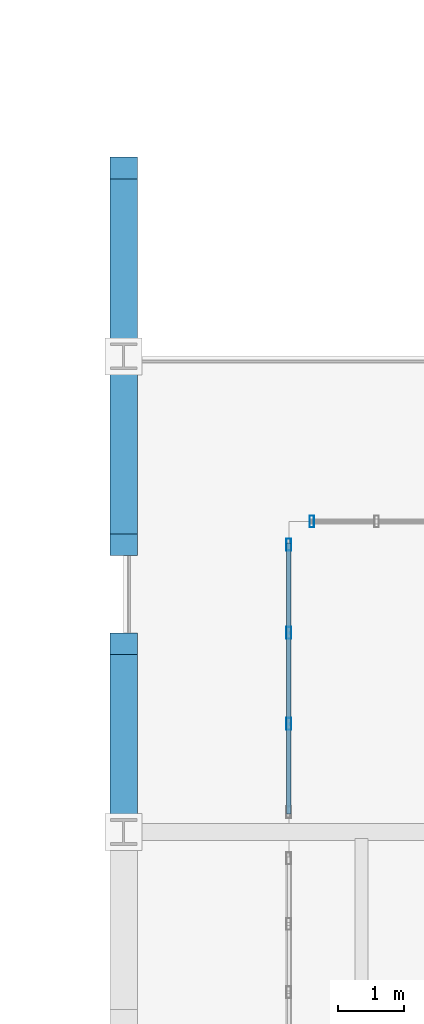
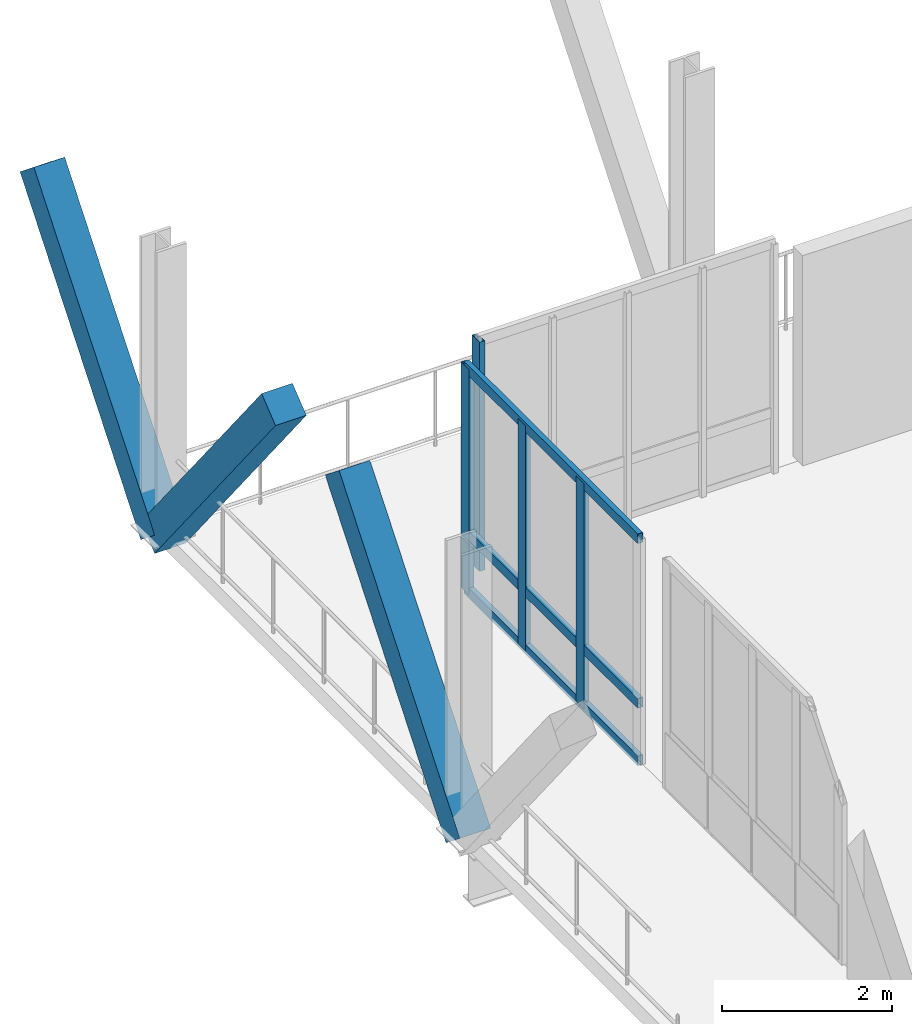
# One storey, part 35 of 102: 10 members, 2 elements without a shape of their own.
"""IFC4 building model written with IfcOpenShell, lengths in metres."""

from ifc_helpers import new_model, si_unit, direction, frame, origin, origin_2d, place, context, subcontext, project, spatial, rectangle, hollow_rectangle, extrude, material, material_profile, profile_set, type_object, element, aggregate, save


model = new_model("IFC4")

# Units and contexts
model_context = context("Model", 3, precision=1e-05, world=origin(), true_north=direction((0.0, 1.0)))
body_context = subcontext(model_context, "Body", "Model", "MODEL_VIEW")
ifc_project = project(units=[si_unit("LENGTHUNIT", "METRE"), si_unit("AREAUNIT", "SQUARE_METRE"), si_unit("VOLUMEUNIT", "CUBIC_METRE"), si_unit("PLANEANGLEUNIT", "RADIAN"), si_unit("MASSUNIT", "GRAM", prefix="KILO")], contexts=[model_context])

# Site, building, storey
site_placement = place(None, origin())
site = spatial("IfcSite", under=ifc_project, at=site_placement, CompositionType="ELEMENT")
building_placement = place(site_placement, origin())
building = spatial("IfcBuilding", under=site, at=building_placement, Name="Yarey Park Central Fire Station", CompositionType="ELEMENT")
storey_placement = place(building_placement, frame((0.0, 0.0, 6.0)))
storey = spatial("IfcBuildingStorey", under=building, at=storey_placement, Name="L02", CompositionType="ELEMENT", Elevation=6.0)

# Curtain wall, members
ifc_material_1 = material(Name="Anodized Aluminium Frame", Category="aluminium")
curtain_wall_type_1 = type_object("IfcCurtainWallType", Name="ENV_CW_V3_GALW", PredefinedType="NOTDEFINED", material=ifc_material_1)
curtain_wall_1_placement = place(storey_placement, origin())
curtain_wall_1 = element("IfcCurtainWall", 1, at=curtain_wall_1_placement, inside=storey, type_object=curtain_wall_type_1, Name="CW_L02_V3_W_036", PredefinedType="NOTDEFINED")
ifc_material_profile_1 = material_profile(ifc_material_1, hollow_rectangle(XDim=0.070068359375, YDim=0.179931640625, WallThickness=0.00390625, at=origin_2d()), Name="ALU 180x70x4")
ifc_profile_set_1 = profile_set([ifc_material_profile_1], Name="Anodized Aluminium Frame")
member_type_1 = type_object("IfcMemberType", Name="ENV_CW_MULLION", PredefinedType="MULLION", material=ifc_profile_set_1)
member_1_placement = place(storey_placement, frame((31.300048828125, 80.836669921875, 0.0), z_axis=(0.0, 0.0, 1.0), x_axis=(1.0, 0.0, 0.0)))
member_1 = element("IfcMember", 2, at=member_1_placement, type_object=member_type_1, Name="CW_L02_V3_W_036_MUL2", PredefinedType="MULLION", context=body_context, shape_type="SweptSolid", body=[
    extrude(hollow_rectangle(XDim=0.070068359375, YDim=0.179931640625, WallThickness=0.00390625, at=origin_2d()), origin(), (0.0, 0.0, 1.0), 3.2470703125),
])
member_2_placement = place(storey_placement, frame((31.300048828125, 82.21337890625, 0.0), z_axis=(0.0, 0.0, 1.0), x_axis=(1.0, 0.0, 0.0)))
member_2 = element("IfcMember", 3, at=member_2_placement, type_object=member_type_1, Name="CW_L02_V3_W_036_MUL3", PredefinedType="MULLION", context=body_context, shape_type="SweptSolid", body=[
    extrude(hollow_rectangle(XDim=0.070068359375, YDim=0.179931640625, WallThickness=0.00390625, at=origin_2d()), origin(), (0.0, 0.0, 1.0), 3.2470703125),
])
member_3_placement = place(storey_placement, frame((31.300048828125, 83.550048828125, 0.0), z_axis=(0.0, 0.0, 1.0), x_axis=(1.0, 0.0, 0.0)))
member_3 = element("IfcMember", 4, at=member_3_placement, type_object=member_type_1, Name="CW_L02_V3_W_036_MUL4", PredefinedType="MULLION", context=body_context, shape_type="SweptSolid", body=[
    extrude(hollow_rectangle(XDim=0.070068359375, YDim=0.179931640625, WallThickness=0.00390625, at=origin_2d()), origin(), (0.0, 0.0, 1.0), 3.2470703125),
])

# Curtain wall, member
curtain_wall_type_2 = type_object("IfcCurtainWallType", Name="ENV_CW_V3_GALN", PredefinedType="NOTDEFINED", material=ifc_material_1)
curtain_wall_2_placement = place(storey_placement, origin())
curtain_wall_2 = element("IfcCurtainWall", 5, at=curtain_wall_2_placement, inside=storey, type_object=curtain_wall_type_2, Name="CW_L02_V3_N_040", PredefinedType="NOTDEFINED")
member_4_placement = place(storey_placement, frame((31.64990234375, 83.89990234375, 0.0), z_axis=(0.0, 0.0, 1.0), x_axis=(1.0, 0.0, 0.0)))
member_4 = element("IfcMember", 6, at=member_4_placement, type_object=member_type_1, Name="CW_L02_V3_N_040_MUL5", PredefinedType="MULLION", context=body_context, shape_type="SweptSolid", body=[
    extrude(hollow_rectangle(XDim=0.070068359375, YDim=0.179931640625, WallThickness=0.00390625, at=origin_2d()), origin(), (0.0, 0.0, 1.0), 3.300048828125),
])
aggregate(curtain_wall_2, [member_4])

# Member
ifc_material_profile_2 = material_profile(ifc_material_1, hollow_rectangle(XDim=0.070068359375, YDim=0.139892578125, WallThickness=0.00390625, at=origin_2d()), Name="ALU 140x70x4")
ifc_profile_set_2 = profile_set([ifc_material_profile_2], Name="Anodized Aluminium Frame")
member_type_2 = type_object("IfcMemberType", Name="ENV_CW_TRANSOM", PredefinedType="USERDEFINED", material=ifc_profile_set_2)
member_5_placement = place(storey_placement, frame((31.300048828125, 79.47509765625, 0.02490234375), z_axis=(0.0, 1.0, 0.0), x_axis=(-1.0, 0.0, 0.0)))
member_5 = element("IfcMember", 7, at=member_5_placement, type_object=member_type_2, Name="CW_L02_V3_W_036_TRN1", ObjectType="TRANSOM", PredefinedType="USERDEFINED", context=body_context, shape_type="SweptSolid", body=[
    extrude(hollow_rectangle(XDim=0.070068359375, YDim=0.139892578125, WallThickness=0.00390625, at=origin_2d()), origin(), (0.0, 0.0, 1.0), 4.099853515625),
])

member_6_placement = place(storey_placement, frame((31.300048828125, 79.47509765625, 0.85009765625), z_axis=(0.0, 1.0, 0.0), x_axis=(-1.0, 0.0, 0.0)))
member_6 = element("IfcMember", 8, at=member_6_placement, type_object=member_type_2, Name="CW_L02_V3_W_036_TRN2", ObjectType="TRANSOM", PredefinedType="USERDEFINED", context=body_context, shape_type="SweptSolid", body=[
    extrude(hollow_rectangle(XDim=0.070068359375, YDim=0.139892578125, WallThickness=0.00390625, at=origin_2d()), origin(), (0.0, 0.0, 1.0), 4.099853515625),
])

member_7_placement = place(storey_placement, frame((31.300048828125, 79.47509765625, 3.221923828125), z_axis=(0.0, 1.0, 0.0), x_axis=(-1.0, 0.0, 0.0)))
member_7 = element("IfcMember", 9, at=member_7_placement, type_object=member_type_2, Name="CW_L02_V3_W_036_TRN3", ObjectType="TRANSOM", PredefinedType="USERDEFINED", context=body_context, shape_type="SweptSolid", body=[
    extrude(hollow_rectangle(XDim=0.070068359375, YDim=0.139892578125, WallThickness=0.00390625, at=origin_2d()), origin(), (0.0, 0.0, 1.0), 4.099853515625),
])

aggregate(curtain_wall_1, [member_1, member_2, member_3, member_5, member_6, member_7])

# Members
ifc_material_2 = material(Name="Glulam GL28h", Category="wood")
ifc_material_profile_3 = material_profile(ifc_material_2, rectangle(XDim=0.419921875, YDim=0.419921875, at=origin_2d()), Name="GL 420x420")
ifc_profile_set_3 = profile_set([ifc_material_profile_3], Name="Glulam GL28h")
member_type_3 = type_object("IfcMemberType", Name="STR_STRUT_GL420", PredefinedType="STRUT", material=ifc_profile_set_3)
for number, where, z_axis, x_axis, name in (
    (10, (28.800048828125, 86.39990234375, -0.02001953125), (0.0, 0.623899588473, 0.781504512785), (-1.0, 0.0, 0.0), "Raked Glulam Strut RGS-01"),
    (11, (28.800048828125, 86.39990234375, -0.02001953125), (0.0, -0.623866946252, 0.781530570979), (1.0, 0.0, 0.0), "Raked Glulam Strut RGS-02"),
    (12, (28.800048828125, 79.199951171875, -0.02001953125), (0.0, 0.623899588473, 0.781504512785), (-1.0, 0.0, 0.0), "Raked Glulam Strut RGS-23"),
):
    element("IfcMember", number, at=place(storey_placement, frame(where, z_axis=z_axis, x_axis=x_axis)), inside=storey, type_object=member_type_3, Name=name, PredefinedType="STRUT", context=body_context, shape_type="SweptSolid", body=[
        extrude(rectangle(XDim=0.419921875, YDim=0.419921875, at=origin_2d()), origin(), (0.0, 0.0, 1.0), 4.568115234375),
    ])

save(model, "model.ifc")
